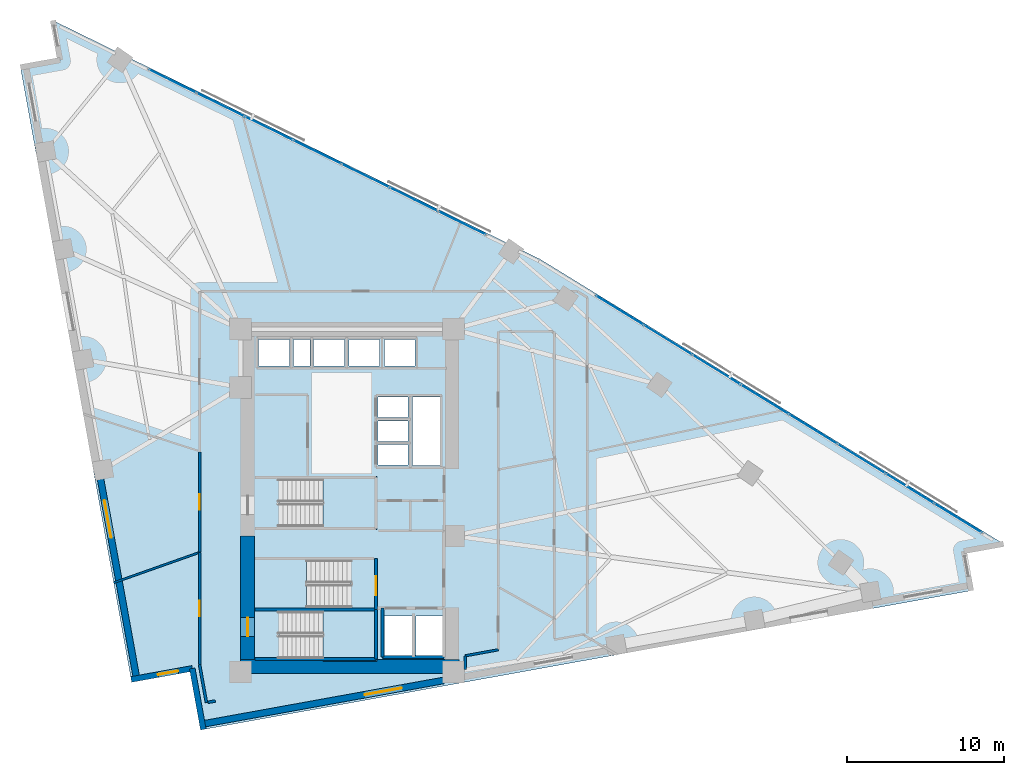
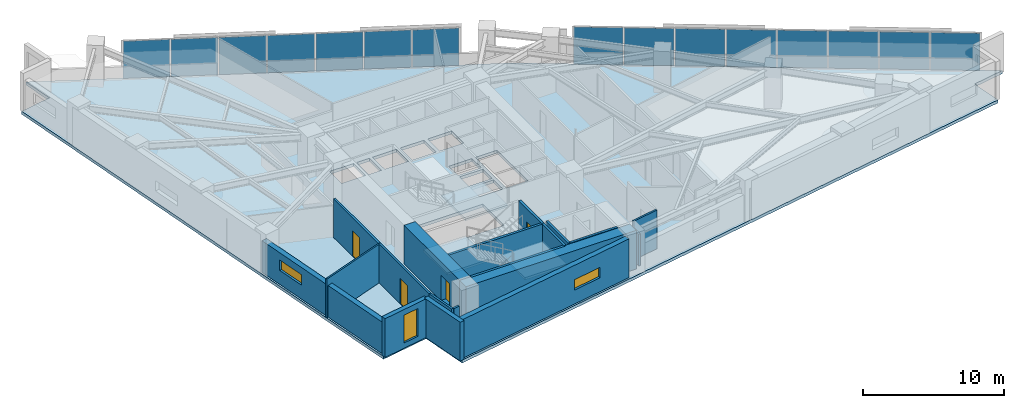
# One storey, part 12 of 18: 19 walls, 15 plates, 4 doors, 4 slabs, 3 windows, 7 openings, 5 elements without a shape of their own.
"""IFC4 building model written with IfcOpenShell, lengths in metres."""

from ifc_helpers import new_model, si_unit, direction, frame, frame_2d, origin, origin_2d, place, context, subcontext, project, spatial, polyline, rectangle, outline, extrude, material, layer, layer_set, type_object, element, fill, aggregate, save


model = new_model("IFC4")

# Units and contexts
model_context = context("Model", 3, precision=1e-05, world=origin(), true_north=direction((0.0, 1.0)))
body_context = subcontext(model_context, "Body", "Model", "MODEL_VIEW")
ifc_project = project(units=[si_unit("LENGTHUNIT", "METRE"), si_unit("AREAUNIT", "SQUARE_METRE"), si_unit("VOLUMEUNIT", "CUBIC_METRE"), si_unit("PLANEANGLEUNIT", "RADIAN"), si_unit("MASSUNIT", "GRAM", prefix="KILO")], contexts=[model_context])

# Site, building, storey
site_placement = place(None, origin())
site = spatial("IfcSite", under=ifc_project, at=site_placement, CompositionType="ELEMENT")
building_placement = place(site_placement, origin())
building = spatial("IfcBuilding", under=site, at=building_placement, Name="Narakoshi Arena Tower", CompositionType="ELEMENT")
storey_placement = place(building_placement, frame((0.0, 0.0, 110.10009765625)))
storey = spatial("IfcBuildingStorey", under=building, at=storey_placement, Name="L29", CompositionType="ELEMENT", Elevation=110.10009765625)

# Curtain wall, plates
ifc_material_1 = material(Name="Anodised bronze aluminium 6063-T6", Category="aluminium")
curtain_wall_type = type_object("IfcCurtainWallType", Name="CW-HYP-LOW", PredefinedType="NOTDEFINED", material=ifc_material_1)
curtain_wall_1_placement = place(storey_placement, origin())
curtain_wall_1 = element("IfcCurtainWall", 1, at=curtain_wall_1_placement, inside=storey, type_object=curtain_wall_type, Name="L29 Folded Hypotenuse Curtain Wall 1-1", PredefinedType="NOTDEFINED")
ifc_material_2 = material(Name="Bronze-tinted low-E laminated glass", Category="glass")
ifc_layer_1 = layer(ifc_material_2, 0.031982421875)
ifc_layer_set_1 = layer_set([ifc_layer_1], Name="Bronze-tinted low-E laminated glass")
plate_type = type_object("IfcPlateType", Name="PLT-GLZ-32", PredefinedType="CURTAIN_PANEL", material=ifc_layer_set_1)
plate_1_placement = place(storey_placement, frame((117.64013671875, 44.483642578125, 0.06494140625), z_axis=(0.0, 0.0, 1.0), x_axis=(-0.852113104237, 0.523357676535, 0.0)))
plate_1 = element("IfcPlate", 2, at=plate_1_placement, type_object=plate_type, Name="CW-01 panel 1.1", PredefinedType="CURTAIN_PANEL", context=body_context, shape_type="SweptSolid", body=[
    extrude(rectangle(XDim=3.498291015625, YDim=0.031982421875, at=origin_2d()), origin(), (0.0, 0.0, 1.0), 3.2099609375),
])
plate_2_placement = place(storey_placement, frame((114.5791015625, 46.36376953125, 0.06494140625), z_axis=(0.0, 0.0, 1.0), x_axis=(-0.852113104237, 0.523357676535, 0.0)))
plate_2 = element("IfcPlate", 3, at=plate_2_placement, type_object=plate_type, Name="CW-01 panel 2.1", PredefinedType="CURTAIN_PANEL", context=body_context, shape_type="SweptSolid", body=[
    extrude(rectangle(XDim=3.535888671875, YDim=0.031982421875, at=origin_2d()), origin(), (0.0, 0.0, 1.0), 3.2099609375),
])
plate_3_placement = place(storey_placement, frame((111.502197265625, 48.25341796875, 0.06494140625), z_axis=(0.0, 0.0, 1.0), x_axis=(-0.852113104237, 0.523357676535, 0.0)))
plate_3 = element("IfcPlate", 4, at=plate_3_placement, type_object=plate_type, Name="CW-01 panel 3.1", PredefinedType="CURTAIN_PANEL", context=body_context, shape_type="SweptSolid", body=[
    extrude(rectangle(XDim=3.535888671875, YDim=0.031982421875, at=origin_2d()), origin(), (0.0, 0.0, 1.0), 3.2099609375),
])
plate_4_placement = place(storey_placement, frame((108.42529296875, 50.143310546875, 0.06494140625), z_axis=(0.0, 0.0, 1.0), x_axis=(-0.852113104237, 0.523357676535, 0.0)))
plate_4 = element("IfcPlate", 5, at=plate_4_placement, type_object=plate_type, Name="CW-01 panel 4.1", PredefinedType="CURTAIN_PANEL", context=body_context, shape_type="SweptSolid", body=[
    extrude(rectangle(XDim=3.535888671875, YDim=0.031982421875, at=origin_2d()), origin(), (0.0, 0.0, 1.0), 3.2099609375),
])
plate_5_placement = place(storey_placement, frame((105.348388671875, 52.032958984375, 0.06494140625), z_axis=(0.0, 0.0, 1.0), x_axis=(-0.852113104237, 0.523357676535, 0.0)))
plate_5 = element("IfcPlate", 6, at=plate_5_placement, type_object=plate_type, Name="CW-01 panel 5.1", PredefinedType="CURTAIN_PANEL", context=body_context, shape_type="SweptSolid", body=[
    extrude(rectangle(XDim=3.535888671875, YDim=0.031982421875, at=origin_2d()), origin(), (0.0, 0.0, 1.0), 3.2099609375),
])
plate_6_placement = place(storey_placement, frame((102.271728515625, 53.9228515625, 0.06494140625), z_axis=(0.0, 0.0, 1.0), x_axis=(-0.852113104237, 0.523357676535, 0.0)))
plate_6 = element("IfcPlate", 7, at=plate_6_placement, type_object=plate_type, Name="CW-01 panel 6.1", PredefinedType="CURTAIN_PANEL", context=body_context, shape_type="SweptSolid", body=[
    extrude(rectangle(XDim=3.535888671875, YDim=0.031982421875, at=origin_2d()), origin(), (0.0, 0.0, 1.0), 3.2099609375),
])
plate_7_placement = place(storey_placement, frame((99.19482421875, 55.8125, 0.06494140625), z_axis=(0.0, 0.0, 1.0), x_axis=(-0.852113104237, 0.523357676535, 0.0)))
plate_7 = element("IfcPlate", 8, at=plate_7_placement, type_object=plate_type, Name="CW-01 panel 7.1", PredefinedType="CURTAIN_PANEL", context=body_context, shape_type="SweptSolid", body=[
    extrude(rectangle(XDim=3.535888671875, YDim=0.031982421875, at=origin_2d()), origin(), (0.0, 0.0, 1.0), 3.2099609375),
])
plate_8_placement = place(storey_placement, frame((96.1337890625, 57.692626953125, 0.06494140625), z_axis=(0.0, 0.0, 1.0), x_axis=(-0.852113104237, 0.523357676535, 0.0)))
plate_8 = element("IfcPlate", 9, at=plate_8_placement, type_object=plate_type, Name="CW-01 panel 8.1", PredefinedType="CURTAIN_PANEL", context=body_context, shape_type="SweptSolid", body=[
    extrude(rectangle(XDim=3.498291015625, YDim=0.031982421875, at=origin_2d()), origin(), (0.0, 0.0, 1.0), 3.2099609375),
])
aggregate(curtain_wall_1, [plate_1, plate_2, plate_3, plate_4, plate_5, plate_6, plate_7, plate_8])

curtain_wall_2_placement = place(storey_placement, origin())
curtain_wall_2 = element("IfcCurtainWall", 10, at=curtain_wall_2_placement, inside=storey, type_object=curtain_wall_type, Name="L29 Folded Hypotenuse Curtain Wall 2-1", PredefinedType="NOTDEFINED")
plate_9_placement = place(storey_placement, frame((86.0791015625, 63.259765625, 0.06494140625), z_axis=(0.0, 0.0, 1.0), x_axis=(-0.89799556291, 0.440004510198, 0.0)))
plate_9 = element("IfcPlate", 11, at=plate_9_placement, type_object=plate_type, Name="CW-01 panel 1.1", PredefinedType="CURTAIN_PANEL", context=body_context, shape_type="SweptSolid", body=[
    extrude(rectangle(XDim=3.309814453125, YDim=0.031982421875, at=origin_2d()), origin(), (0.0, 0.0, 1.0), 3.2099609375),
])
plate_10_placement = place(storey_placement, frame((83.022705078125, 64.75732421875, 0.06494140625), z_axis=(0.0, 0.0, 1.0), x_axis=(-0.89799556291, 0.440004510198, 0.0)))
plate_10 = element("IfcPlate", 12, at=plate_10_placement, type_object=plate_type, Name="CW-01 panel 2.1", PredefinedType="CURTAIN_PANEL", context=body_context, shape_type="SweptSolid", body=[
    extrude(rectangle(XDim=3.347412109375, YDim=0.031982421875, at=origin_2d()), origin(), (0.0, 0.0, 1.0), 3.2099609375),
])
plate_11_placement = place(storey_placement, frame((79.949462890625, 66.26318359375, 0.06494140625), z_axis=(0.0, 0.0, 1.0), x_axis=(-0.89799556291, 0.440004510198, 0.0)))
plate_11 = element("IfcPlate", 13, at=plate_11_placement, type_object=plate_type, Name="CW-01 panel 3.1", PredefinedType="CURTAIN_PANEL", context=body_context, shape_type="SweptSolid", body=[
    extrude(rectangle(XDim=3.347412109375, YDim=0.031982421875, at=origin_2d()), origin(), (0.0, 0.0, 1.0), 3.2099609375),
])
plate_12_placement = place(storey_placement, frame((76.8759765625, 67.76904296875, 0.06494140625), z_axis=(0.0, 0.0, 1.0), x_axis=(-0.89799556291, 0.440004510198, 0.0)))
plate_12 = element("IfcPlate", 14, at=plate_12_placement, type_object=plate_type, Name="CW-01 panel 4.1", PredefinedType="CURTAIN_PANEL", context=body_context, shape_type="SweptSolid", body=[
    extrude(rectangle(XDim=3.347412109375, YDim=0.031982421875, at=origin_2d()), origin(), (0.0, 0.0, 1.0), 3.2099609375),
])
plate_13_placement = place(storey_placement, frame((73.802734375, 69.27490234375, 0.06494140625), z_axis=(0.0, 0.0, 1.0), x_axis=(-0.89799556291, 0.440004510198, 0.0)))
plate_13 = element("IfcPlate", 15, at=plate_13_placement, type_object=plate_type, Name="CW-01 panel 5.1", PredefinedType="CURTAIN_PANEL", context=body_context, shape_type="SweptSolid", body=[
    extrude(rectangle(XDim=3.347412109375, YDim=0.031982421875, at=origin_2d()), origin(), (0.0, 0.0, 1.0), 3.2099609375),
])
plate_14_placement = place(storey_placement, frame((70.7294921875, 70.781005859375, 0.06494140625), z_axis=(0.0, 0.0, 1.0), x_axis=(-0.89799556291, 0.440004510198, 0.0)))
plate_14 = element("IfcPlate", 16, at=plate_14_placement, type_object=plate_type, Name="CW-01 panel 6.1", PredefinedType="CURTAIN_PANEL", context=body_context, shape_type="SweptSolid", body=[
    extrude(rectangle(XDim=3.347412109375, YDim=0.031982421875, at=origin_2d()), origin(), (0.0, 0.0, 1.0), 3.2099609375),
])
plate_15_placement = place(storey_placement, frame((67.673095703125, 72.278564453125, 0.06494140625), z_axis=(0.0, 0.0, 1.0), x_axis=(-0.89799556291, 0.440004510198, 0.0)))
plate_15 = element("IfcPlate", 17, at=plate_15_placement, type_object=plate_type, Name="CW-01 panel 7.1", PredefinedType="CURTAIN_PANEL", context=body_context, shape_type="SweptSolid", body=[
    extrude(rectangle(XDim=3.309814453125, YDim=0.031982421875, at=origin_2d()), origin(), (0.0, 0.0, 1.0), 3.2099609375),
])
aggregate(curtain_wall_2, [plate_9, plate_10, plate_11, plate_12, plate_13, plate_14, plate_15])

# Stair, slab
ifc_material_3 = material(Name="Concrete C45/55", Category="concrete")
stair_type = type_object("IfcStairType", Name="STR-CORE-360", PredefinedType="TWO_STRAIGHT_RUN_STAIR", material=ifc_material_3)
stair_1_placement = place(storey_placement, origin())
stair_1 = element("IfcStair", 18, at=stair_1_placement, inside=storey, type_object=stair_type, Name="L29 Core Escape Stair ST1", PredefinedType="TWO_STRAIGHT_RUN_STAIR")
ifc_layer_2 = layer(ifc_material_3, 0.18994140625)
ifc_layer_set_2 = layer_set([ifc_layer_2], Name="Concrete C45/55")
slab_type_1 = type_object("IfcSlabType", Name="SLB-LND-190", PredefinedType="LANDING", material=ifc_layer_set_2)
slab_1_placement = place(storey_placement, frame((0.0, 0.0, 1.60986328125)))
slab_1 = element("IfcSlab", 19, at=slab_1_placement, type_object=slab_type_1, Name="ST1 landing 1", PredefinedType="LANDING", context=body_context, shape_type="SweptSolid", body=[
    extrude(outline(polyline([(77.25, 35.3701171875), (80.679931640625, 35.3701171875), (80.679931640625, 38.72998046875), (77.25, 38.72998046875), (77.25, 35.3701171875)])), origin(), (0.0, 0.0, 1.0), 0.18994140625),
])
aggregate(stair_1, [slab_1])

stair_2_placement = place(storey_placement, origin())
stair_2 = element("IfcStair", 20, at=stair_2_placement, inside=storey, type_object=stair_type, Name="L29 Core Escape Stair ST2", PredefinedType="TWO_STRAIGHT_RUN_STAIR")
slab_2_placement = place(storey_placement, frame((0.0, 0.0, 1.60986328125)))
slab_2 = element("IfcSlab", 21, at=slab_2_placement, type_object=slab_type_1, Name="ST2 landing 1", PredefinedType="LANDING", context=body_context, shape_type="SweptSolid", body=[
    extrude(outline(polyline([(72.77001953125, 38.6201171875), (76.199951171875, 38.6201171875), (76.199951171875, 41.97998046875), (72.77001953125, 41.97998046875), (72.77001953125, 38.6201171875)])), origin(), (0.0, 0.0, 1.0), 0.18994140625),
])
aggregate(stair_2, [slab_2])

stair_3_placement = place(storey_placement, origin())
stair_3 = element("IfcStair", 22, at=stair_3_placement, inside=storey, type_object=stair_type, Name="L29 Core Escape Stair ST3", PredefinedType="TWO_STRAIGHT_RUN_STAIR")
slab_3_placement = place(storey_placement, frame((0.0, 0.0, 1.60986328125)))
slab_3 = element("IfcSlab", 23, at=slab_3_placement, type_object=slab_type_1, Name="ST3 landing 1", PredefinedType="LANDING", context=body_context, shape_type="SweptSolid", body=[
    extrude(outline(polyline([(77.25, 43.77001953125), (80.679931640625, 43.77001953125), (80.679931640625, 47.1298828125), (77.25, 47.1298828125), (77.25, 43.77001953125)])), origin(), (0.0, 0.0, 1.0), 0.18994140625),
])
aggregate(stair_3, [slab_3])

# Slab
ifc_material_4 = material(Name="Concrete C50/60", Category="concrete")
ifc_layer_3 = layer(ifc_material_4, 0.260009765625)
ifc_layer_set_3 = layer_set([ifc_layer_3], Name="Concrete C50/60")
slab_type_2 = type_object("IfcSlabType", Name="SLB-SKY-260", PredefinedType="FLOOR", material=ifc_layer_set_3)
slab_4_placement = place(storey_placement, frame((0.0, 0.0, -0.260009765625)))
element("IfcSlab", 24, at=slab_4_placement, inside=storey, type_object=slab_type_2, Name="L29 Structural Floor Slab", PredefinedType="FLOOR", context=body_context, shape_type="SweptSolid", body=[
    extrude(outline(polyline([(69.626953125, 31.03271484375), (118.466796875, 39.8642578125), (118.01025390625, 42.3896484375), (120.535400390625, 42.84619140625), (91.034912109375, 60.965087890625), (60.066162109375, 76.139404296875), (60.522705078125, 73.614013671875), (57.99755859375, 73.157470703125), (65.039306640625, 34.215087890625), (68.92431640625, 34.91748046875), (69.626953125, 31.03271484375)]), holes=[polyline([(80.5, 35.550048828125), (74.47998046875, 35.550048828125), (74.47998046875, 38.550048828125), (80.5, 38.550048828125), (80.5, 35.550048828125)]), polyline([(82.89990234375, 35.75), (81.14990234375, 35.75), (81.14990234375, 38.25), (82.89990234375, 38.25), (82.89990234375, 35.75)]), polyline([(83.14990234375, 35.75), (83.14990234375, 38.25), (84.89990234375, 38.25), (84.89990234375, 35.75), (83.14990234375, 35.75)]), polyline([(72.949951171875, 38.800048828125), (72.949951171875, 41.800048828125), (78.969970703125, 41.800048828125), (78.969970703125, 38.800048828125), (72.949951171875, 38.800048828125)]), polyline([(74.47998046875, 43.949951171875), (74.47998046875, 46.949951171875), (80.5, 46.949951171875), (80.5, 43.949951171875), (74.47998046875, 43.949951171875)]), polyline([(82.949951171875, 47.840087890625), (82.949951171875, 52.199951171875), (84.699951171875, 52.199951171875), (84.699951171875, 47.840087890625), (82.949951171875, 47.840087890625)]), polyline([(80.75, 47.85009765625), (80.75, 49.14990234375), (82.64990234375, 49.14990234375), (82.64990234375, 47.85009765625), (80.75, 47.85009765625)]), polyline([(80.75, 49.3701171875), (80.75, 50.669921875), (82.64990234375, 50.669921875), (82.64990234375, 49.3701171875), (80.75, 49.3701171875)]), polyline([(80.75, 50.889892578125), (80.75, 52.18994140625), (82.64990234375, 52.18994140625), (82.64990234375, 50.889892578125), (80.75, 50.889892578125)]), polyline([(73.14990234375, 54.14990234375), (73.14990234375, 55.85009765625), (75.10009765625, 55.85009765625), (75.10009765625, 54.14990234375), (73.14990234375, 54.14990234375)]), polyline([(75.35009765625, 54.14990234375), (75.35009765625, 55.85009765625), (76.39990234375, 55.85009765625), (76.39990234375, 54.14990234375), (75.35009765625, 54.14990234375)]), polyline([(76.64990234375, 54.14990234375), (76.64990234375, 55.85009765625), (78.60009765625, 55.85009765625), (78.60009765625, 54.14990234375), (76.64990234375, 54.14990234375)]), polyline([(78.89990234375, 54.14990234375), (78.89990234375, 55.85009765625), (80.85009765625, 55.85009765625), (80.85009765625, 54.14990234375), (78.89990234375, 54.14990234375)]), polyline([(81.14990234375, 54.14990234375), (81.14990234375, 55.85009765625), (83.10009765625, 55.85009765625), (83.10009765625, 54.14990234375), (81.14990234375, 54.14990234375)])]), origin(), (0.0, 0.0, 1.0), 0.260009765625),
])

# Wall, opening, door
ifc_material_5 = material(Name="Concrete C60/75", Category="concrete")
ifc_layer_4 = layer(ifc_material_5, 0.89990234375)
ifc_layer_set_4 = layer_set([ifc_layer_4], Name="Concrete C60/75")
wall_type_1 = type_object("IfcWallType", Name="WL-CORE-900", PredefinedType="SHEAR", material=ifc_layer_set_4)
wall_1_placement = place(storey_placement, frame((72.449951171875, 35.5, -0.260009765625), z_axis=(0.0, 0.0, 1.0), x_axis=(0.0, 1.0, 0.0)))
wall_1 = element("IfcWall", 25, at=wall_1_placement, inside=storey, type_object=wall_type_1, Name="L29 Central Core Shear Wall CW-APX-W", PredefinedType="SHEAR", context=body_context, shape_type="SweptSolid", body=[
    extrude(rectangle(XDim=7.85009765625, YDim=0.89990234375, at=frame_2d((3.925048828125, 0.0))), origin(), (0.0, 0.0, 1.0), 3.599853515625),
])
opening_1_placement = place(wall_1_placement, frame((1.449951171875, 0.0, 0.260009765625)))
opening_1 = element("IfcOpeningElement", 26, at=opening_1_placement, cuts=wall_1, Name="Opening D-03", PredefinedType="OPENING", context=body_context, shape_type="SweptSolid", body=[
    extrude(rectangle(XDim=1.199951171875, YDim=2.199951171875, at=frame_2d((0.60009765625, 1.10009765625))), frame((0.0, 0.4599609375, 0.0), z_axis=(0.0, -1.0, 0.0), x_axis=(1.0, 0.0, 0.0)), (0.0, 0.0, 1.0), 0.919921875),
])
ifc_material_6 = material(Name="Painted galvanized steel", Category="steel")
door_type_1 = type_object("IfcDoorType", Name="DR-STR-1200", OperationType="NOTDEFINED", PredefinedType="USERDEFINED", material=ifc_material_6)
door_1_placement = place(opening_1_placement, frame((1.199951171875, 0.0, 0.0), z_axis=(0.0, 0.0, 1.0), x_axis=(-1.0, 0.0, 0.0)))
door_1 = element("IfcDoor", 27, at=door_1_placement, inside=storey, type_object=door_type_1, Name="DR-L29-001", ObjectType="EXITDOOR", OperationType="SINGLE_SWING_LEFT", OverallHeight=2.199951171875, OverallWidth=1.199951171875, PredefinedType="USERDEFINED", context=body_context, shape_type="SweptSolid", body=[
    extrude(rectangle(XDim=1.199951171875, YDim=2.199951171875, at=frame_2d((0.60009765625, 1.10009765625))), frame((0.0, 0.02490234375, 0.0), z_axis=(0.0, -1.0, 0.0), x_axis=(1.0, 0.0, 0.0)), (0.0, 0.0, 1.0), 0.050048828125),
])
fill(opening_1, door_1)

# Wall
wall_2_placement = place(storey_placement, frame((72.0, 35.050048828125, -0.260009765625), z_axis=(0.0, 0.0, 1.0), x_axis=(1.0, 0.0, 0.0)))
element("IfcWall", 28, at=wall_2_placement, inside=storey, type_object=wall_type_1, Name="L29 Central Core Shear Wall CW-APX-S", PredefinedType="SHEAR", context=body_context, shape_type="SweptSolid", body=[
    extrude(rectangle(XDim=13.89990234375, YDim=0.89990234375, at=frame_2d((6.949951171875, 0.0))), origin(), (0.0, 0.0, 1.0), 3.599853515625),
])

# Wall, opening, door
ifc_material_7 = material(Name="Gypsum plasterboard fire-rated partition")
ifc_layer_5 = layer(ifc_material_7, 0.1650390625)
ifc_layer_set_5 = layer_set([ifc_layer_5], Name="Gypsum plasterboard fire-rated partition")
wall_type_2 = type_object("IfcWallType", Name="WL-CORR-165", PredefinedType="PARTITIONING", material=ifc_layer_set_5)
wall_3_placement = place(storey_placement, frame((69.388916015625, 42.30078125, 0.0), z_axis=(0.0, 0.0, 1.0), x_axis=(0.0, -1.0, 0.0)))
wall_3 = element("IfcWall", 29, at=wall_3_placement, inside=storey, type_object=wall_type_2, Name="L29 Corridor Partition 01-1", PredefinedType="PARTITIONING", context=body_context, shape_type="SweptSolid", body=[
    extrude(rectangle(XDim=7.14111328125, YDim=0.1650390625, at=frame_2d((3.570556640625, 0.0))), origin(), (0.0, 0.0, 1.0), 3.33984375),
])
opening_2_placement = place(wall_3_placement, frame((3.070556640625, 0.0, 0.0)))
opening_2 = element("IfcOpeningElement", 30, at=opening_2_placement, cuts=wall_3, Name="Opening D-06", PredefinedType="OPENING", context=body_context, shape_type="SweptSolid", body=[
    extrude(rectangle(XDim=1.0, YDim=2.199951171875, at=frame_2d((0.5, 1.10009765625))), frame((0.0, 0.092529296875, 0.0), z_axis=(0.0, -1.0, 0.0), x_axis=(1.0, 0.0, 0.0)), (0.0, 0.0, 1.0), 0.18505859375),
])
ifc_material_8 = material(Name="Stained oak solid-core timber", Category="wood")
door_type_2 = type_object("IfcDoorType", Name="DR-OFF-1000", OperationType="NOTDEFINED", PredefinedType="DOOR", material=ifc_material_8)
door_2_placement = place(opening_2_placement, frame((1.0, 0.0, 0.0), z_axis=(0.0, 0.0, 1.0), x_axis=(-1.0, 0.0, 0.0)))
door_2 = element("IfcDoor", 31, at=door_2_placement, inside=storey, type_object=door_type_2, Name="DR-L29-014", OperationType="SINGLE_SWING_LEFT", OverallHeight=2.199951171875, OverallWidth=1.0, PredefinedType="DOOR", context=body_context, shape_type="SweptSolid", body=[
    extrude(rectangle(XDim=1.0, YDim=2.199951171875, at=frame_2d((0.5, 1.10009765625))), frame((0.0, 0.02490234375, 0.0), z_axis=(0.0, -1.0, 0.0), x_axis=(1.0, 0.0, 0.0)), (0.0, 0.0, 1.0), 0.050048828125),
])
fill(opening_2, door_2)

# Walls
wall_4_placement = place(storey_placement, frame((69.388916015625, 35.15966796875, 0.0), z_axis=(0.0, 0.0, 1.0), x_axis=(0.177808331927, -0.984065138645, 0.0)))
element("IfcWall", 32, at=wall_4_placement, inside=storey, type_object=wall_type_2, Name="L29 Corridor Partition 01-2", PredefinedType="PARTITIONING", context=body_context, shape_type="SweptSolid", body=[
    extrude(rectangle(XDim=2.45361328125, YDim=0.1650390625, at=frame_2d((1.226806640625, 0.0))), origin(), (0.0, 0.0, 1.0), 3.33984375),
])
wall_5_placement = place(storey_placement, frame((69.918212890625, 32.761962890625, 0.0), z_axis=(0.0, 0.0, 1.0), x_axis=(0.984015288824, 0.178084000857, 0.0)))
element("IfcWall", 33, at=wall_5_placement, inside=storey, type_object=wall_type_2, Name="L29 Corridor Partition 01-3", PredefinedType="PARTITIONING", context=body_context, shape_type="SweptSolid", body=[
    extrude(rectangle(XDim=0.482666015625, YDim=0.1650390625, at=frame_2d((0.2412109375, 0.0))), origin(), (0.0, 0.0, 1.0), 3.33984375),
])

# Wall, opening, door
wall_6_placement = place(storey_placement, frame((69.388916015625, 48.672607421875, 0.0), z_axis=(0.0, 0.0, 1.0), x_axis=(0.0, -1.0, 0.0)))
wall_6 = element("IfcWall", 34, at=wall_6_placement, inside=storey, type_object=wall_type_2, Name="L29 Corridor Partition 09-1", PredefinedType="PARTITIONING", context=body_context, shape_type="SweptSolid", body=[
    extrude(rectangle(XDim=6.346435546875, YDim=0.1650390625, at=frame_2d((3.17333984375, 0.0))), origin(), (0.0, 0.0, 1.0), 3.33984375),
])
opening_3_placement = place(wall_6_placement, frame((2.673095703125, 0.0, 0.0)))
opening_3 = element("IfcOpeningElement", 35, at=opening_3_placement, cuts=wall_6, Name="Opening D-06", PredefinedType="OPENING", context=body_context, shape_type="SweptSolid", body=[
    extrude(rectangle(XDim=1.0, YDim=2.199951171875, at=frame_2d((0.5, 1.10009765625))), frame((0.0, 0.092529296875, 0.0), z_axis=(0.0, -1.0, 0.0), x_axis=(1.0, 0.0, 0.0)), (0.0, 0.0, 1.0), 0.18505859375),
])
door_3_placement = place(opening_3_placement, frame((1.0, 0.0, 0.0), z_axis=(0.0, 0.0, 1.0), x_axis=(-1.0, 0.0, 0.0)))
door_3 = element("IfcDoor", 36, at=door_3_placement, inside=storey, type_object=door_type_2, Name="DR-L29-022", OperationType="SINGLE_SWING_LEFT", OverallHeight=2.199951171875, OverallWidth=1.0, PredefinedType="DOOR", context=body_context, shape_type="SweptSolid", body=[
    extrude(rectangle(XDim=1.0, YDim=2.199951171875, at=frame_2d((0.5, 1.10009765625))), frame((0.0, 0.02490234375, 0.0), z_axis=(0.0, -1.0, 0.0), x_axis=(1.0, 0.0, 0.0)), (0.0, 0.0, 1.0), 0.050048828125),
])
fill(opening_3, door_3)

# Wall
ifc_layer_6 = layer(ifc_material_7, 0.125)
ifc_layer_set_6 = layer_set([ifc_layer_6], Name="Gypsum plasterboard fire-rated partition")
wall_type_3 = type_object("IfcWallType", Name="WL-PART-125", PredefinedType="PARTITIONING", material=ifc_layer_set_6)
wall_7_placement = place(storey_placement, frame((63.926513671875, 40.369384765625, 0.0), z_axis=(0.0, 0.0, 1.0), x_axis=(0.942798594797, 0.33336287983, 0.0)))
element("IfcWall", 37, at=wall_7_placement, inside=storey, type_object=wall_type_3, Name="L29 Inter-Room Partition 01-09", PredefinedType="PARTITIONING", context=body_context, shape_type="SweptSolid", body=[
    extrude(rectangle(XDim=5.693359375, YDim=0.125, at=frame_2d((2.8466796875, 0.0))), origin(), (0.0, 0.0, 1.0), 3.33984375),
])

# Wall, opening, window
ifc_material_9 = material(Name="Precast concrete C45/55", Category="concrete")
ifc_layer_7 = layer(ifc_material_9, 0.419921875)
ifc_layer_set_7 = layer_set([ifc_layer_7], Name="Precast concrete C45/55")
wall_type_4 = type_object("IfcWallType", Name="WL-POD-420", PredefinedType="SOLIDWALL", material=ifc_layer_set_7)
wall_8_placement = place(storey_placement, frame((69.564697265625, 31.376953125, 0.0), z_axis=(0.0, 0.0, 1.0), x_axis=(0.98404091451, 0.177942346197, 0.0)))
wall_8 = element("IfcWall", 38, at=wall_8_placement, inside=storey, type_object=wall_type_4, Name="L29 Architectural Concrete Facade Wall LEGA-1", PredefinedType="SOLIDWALL", context=body_context, shape_type="SweptSolid", body=[
    extrude(rectangle(XDim=15.58349609375, YDim=0.419921875, at=frame_2d((7.791748046875, 0.0))), origin(), (0.0, 0.0, 1.0), 3.33984375),
])
opening_4_placement = place(wall_8_placement, frame((10.5, 0.0, 1.199951171875)))
opening_4 = element("IfcOpeningElement", 39, at=opening_4_placement, cuts=wall_8, Name="Opening WN-01", PredefinedType="OPENING", context=body_context, shape_type="SweptSolid", body=[
    extrude(rectangle(XDim=2.39990234375, YDim=0.89990234375, at=frame_2d((1.199951171875, 0.449951171875))), frame((0.0, 0.219970703125, 0.0), z_axis=(0.0, -1.0, 0.0), x_axis=(1.0, 0.0, 0.0)), (0.0, 0.0, 1.0), 0.43994140625),
])
window_type_1 = type_object("IfcWindowType", Name="WIN-SLT-24x09", PartitioningType="SINGLE_PANEL", PredefinedType="WINDOW", material=ifc_material_2)
window_1_placement = place(opening_4_placement, origin())
window_1 = element("IfcWindow", 40, at=window_1_placement, inside=storey, type_object=window_type_1, Name="L29 LEGA1 Horizontal Slot Window 1", OverallHeight=0.89990234375, OverallWidth=2.39990234375, PartitioningType="SINGLE_PANEL", PredefinedType="WINDOW", context=body_context, shape_type="SweptSolid", body=[
    extrude(rectangle(XDim=2.39990234375, YDim=0.89990234375, at=frame_2d((1.199951171875, 0.449951171875))), frame((0.0, 0.030029296875, 0.0), z_axis=(0.0, -1.0, 0.0), x_axis=(1.0, 0.0, 0.0)), (0.0, 0.0, 1.0), 0.06005859375),
])
fill(opening_4, window_1)

wall_9_placement = place(storey_placement, frame((62.989501953125, 47.517578125, 0.0), z_axis=(0.0, 0.0, 1.0), x_axis=(0.177948058674, -0.984039881516, 0.0)))
wall_9 = element("IfcWall", 41, at=wall_9_placement, inside=storey, type_object=wall_type_4, Name="L29 Architectural Concrete Facade Wall LEGB-3", PredefinedType="SOLIDWALL", context=body_context, shape_type="SweptSolid", body=[
    extrude(rectangle(XDim=13.455078125, YDim=0.419921875, at=frame_2d((6.7275390625, 0.0))), origin(), (0.0, 0.0, 1.0), 2.724853515625),
])
opening_5_placement = place(wall_9_placement, frame((1.945068359375, 0.0, 1.199951171875)))
opening_5 = element("IfcOpeningElement", 42, at=opening_5_placement, cuts=wall_9, Name="Opening WN-01", PredefinedType="OPENING", context=body_context, shape_type="SweptSolid", body=[
    extrude(rectangle(XDim=2.39990234375, YDim=0.89990234375, at=frame_2d((1.199951171875, 0.449951171875))), frame((0.0, 0.219970703125, 0.0), z_axis=(0.0, -1.0, 0.0), x_axis=(1.0, 0.0, 0.0)), (0.0, 0.0, 1.0), 0.43994140625),
])
window_2_placement = place(opening_5_placement, origin())
window_2 = element("IfcWindow", 43, at=window_2_placement, inside=storey, type_object=window_type_1, Name="L29 LEGB3 Horizontal Slot Window 1", OverallHeight=0.89990234375, OverallWidth=2.39990234375, PartitioningType="SINGLE_PANEL", PredefinedType="WINDOW", context=body_context, shape_type="SweptSolid", body=[
    extrude(rectangle(XDim=2.39990234375, YDim=0.89990234375, at=frame_2d((1.199951171875, 0.449951171875))), frame((0.0, 0.030029296875, 0.0), z_axis=(0.0, -1.0, 0.0), x_axis=(1.0, 0.0, 0.0)), (0.0, 0.0, 1.0), 0.06005859375),
])
fill(opening_5, window_2)

wall_10_placement = place(storey_placement, frame((65.039306640625, 34.215087890625, 0.0), z_axis=(0.0, 0.0, 1.0), x_axis=(0.984046535247, 0.177911260096, 0.0)))
wall_10 = element("IfcWall", 44, at=wall_10_placement, inside=storey, type_object=wall_type_4, Name="L29 Re-Entrant Corner Notch Wall NTA-1", PredefinedType="SOLIDWALL", context=body_context, shape_type="SweptSolid", body=[
    extrude(rectangle(XDim=3.947998046875, YDim=0.360107421875, at=frame_2d((1.97412109375, 0.0))), origin(), (0.0, 0.0, 1.0), 3.33984375),
])
opening_6_placement = place(wall_10_placement, frame((1.73388671875, 0.0, 0.449951171875)))
opening_6 = element("IfcOpeningElement", 45, at=opening_6_placement, cuts=wall_10, Name="Opening WN-06", PredefinedType="OPENING", context=body_context, shape_type="SweptSolid", body=[
    extrude(rectangle(XDim=1.300048828125, YDim=2.39990234375, at=frame_2d((0.64990234375, 1.199951171875))), frame((0.0, 0.18994140625, 0.0), z_axis=(0.0, -1.0, 0.0), x_axis=(1.0, 0.0, 0.0)), (0.0, 0.0, 1.0), 0.380126953125),
])
window_type_2 = type_object("IfcWindowType", Name="WIN-NTC-16x24", PartitioningType="SINGLE_PANEL", PredefinedType="WINDOW", material=ifc_material_2)
window_3_placement = place(opening_6_placement, origin())
window_3 = element("IfcWindow", 46, at=window_3_placement, inside=storey, type_object=window_type_2, Name="L29 Corner Notch Window NTA", OverallHeight=2.39990234375, OverallWidth=1.300048828125, PartitioningType="SINGLE_PANEL", PredefinedType="WINDOW", context=body_context, shape_type="SweptSolid", body=[
    extrude(rectangle(XDim=1.300048828125, YDim=2.39990234375, at=frame_2d((0.64990234375, 1.199951171875))), frame((0.0, 0.030029296875, 0.0), z_axis=(0.0, -1.0, 0.0), x_axis=(1.0, 0.0, 0.0)), (0.0, 0.0, 1.0), 0.06005859375),
])
fill(opening_6, window_3)

# Walls
wall_11_placement = place(storey_placement, frame((68.92431640625, 34.91748046875, 0.0), z_axis=(0.0, 0.0, 1.0), x_axis=(0.177981971326, -0.984033748346, 0.0)))
element("IfcWall", 47, at=wall_11_placement, inside=storey, type_object=wall_type_4, Name="L29 Re-Entrant Corner Notch Wall NTA-2", PredefinedType="SOLIDWALL", context=body_context, shape_type="SweptSolid", body=[
    extrude(rectangle(XDim=3.94775390625, YDim=0.360107421875, at=frame_2d((1.973876953125, 0.0))), origin(), (0.0, 0.0, 1.0), 3.33984375),
])
ifc_layer_8 = layer(ifc_material_4, 0.35009765625)
ifc_layer_set_8 = layer_set([ifc_layer_8], Name="Concrete C50/60")
wall_type_5 = type_object("IfcWallType", Name="WL-SHAFT-350", PredefinedType="SOLIDWALL", material=ifc_layer_set_8)
for number, where, z_axis, x_axis, name in (
    (48, (72.919921875, 35.52001953125, -0.260009765625), (0.0, 0.0, 1.0), (1.0, 0.0, 0.0), "L29 Core Wall ST1-S"),
    (49, (72.919921875, 38.675048828125, -0.260009765625), (0.0, 0.0, 1.0), (1.0, 0.0, 0.0), "L29 Core Wall ST12-DIV"),
):
    element("IfcWall", number, at=place(storey_placement, frame(where, z_axis=z_axis, x_axis=x_axis)), inside=storey, type_object=wall_type_5, Name=name, PredefinedType="SOLIDWALL", context=body_context, shape_type="SweptSolid", body=[
        extrude(rectangle(XDim=7.7001953125, YDim=0.199951171875, at=frame_2d((3.85009765625, 0.0))), origin(), (0.0, 0.0, 1.0), 3.599853515625),
    ])
wall_12_placement = place(storey_placement, frame((80.6201171875, 35.52001953125, -0.260009765625), z_axis=(0.0, 0.0, 1.0), x_axis=(0.0, 1.0, 0.0)))
element("IfcWall", 50, at=wall_12_placement, inside=storey, type_object=wall_type_5, Name="L29 Core Wall ST1-E", PredefinedType="SOLIDWALL", context=body_context, shape_type="SweptSolid", body=[
    extrude(rectangle(XDim=3.155029296875, YDim=0.199951171875, at=frame_2d((1.57763671875, 0.0))), origin(), (0.0, 0.0, 1.0), 3.599853515625),
])

# Wall, opening, door
wall_13_placement = place(storey_placement, frame((80.6201171875, 38.675048828125, -0.260009765625), z_axis=(0.0, 0.0, 1.0), x_axis=(0.0, 1.0, 0.0)))
wall_13 = element("IfcWall", 51, at=wall_13_placement, inside=storey, type_object=wall_type_5, Name="L29 Core Wall ST2-E", PredefinedType="SOLIDWALL", context=body_context, shape_type="SweptSolid", body=[
    extrude(rectangle(XDim=3.244873046875, YDim=0.199951171875, at=frame_2d((1.62255859375, 0.0))), origin(), (0.0, 0.0, 1.0), 3.599853515625),
])
opening_7_placement = place(wall_13_placement, frame((0.89990234375, 0.0, 0.260009765625)))
opening_7 = element("IfcOpeningElement", 52, at=opening_7_placement, cuts=wall_13, Name="Opening D-03", PredefinedType="OPENING", context=body_context, shape_type="SweptSolid", body=[
    extrude(rectangle(XDim=1.199951171875, YDim=2.199951171875, at=frame_2d((0.60009765625, 1.10009765625))), frame((0.0, 0.10986328125, 0.0), z_axis=(0.0, -1.0, 0.0), x_axis=(1.0, 0.0, 0.0)), (0.0, 0.0, 1.0), 0.219970703125),
])
door_4_placement = place(opening_7_placement, origin())
door_4 = element("IfcDoor", 53, at=door_4_placement, inside=storey, type_object=door_type_1, Name="DR-L29-002", ObjectType="EXITDOOR", OperationType="SINGLE_SWING_RIGHT", OverallHeight=2.199951171875, OverallWidth=1.199951171875, PredefinedType="USERDEFINED", context=body_context, shape_type="SweptSolid", body=[
    extrude(rectangle(XDim=1.199951171875, YDim=2.199951171875, at=frame_2d((0.60009765625, 1.10009765625))), frame((0.0, 0.02490234375, 0.0), z_axis=(0.0, -1.0, 0.0), x_axis=(1.0, 0.0, 0.0)), (0.0, 0.0, 1.0), 0.050048828125),
])
fill(opening_7, door_4)

# Walls
wall_14_placement = place(storey_placement, frame((81.02001953125, 35.64990234375, 0.0), z_axis=(0.0, 0.0, 1.0), x_axis=(0.0, 1.0, 0.0)))
element("IfcWall", 54, at=wall_14_placement, inside=storey, type_object=wall_type_5, Name="L29 Core Wall FF-W", PredefinedType="SOLIDWALL", context=body_context, shape_type="SweptSolid", body=[
    extrude(rectangle(XDim=3.10009765625, YDim=0.179931640625, at=frame_2d((1.550048828125, 0.0))), origin(), (0.0, 0.0, 1.0), 3.33984375),
])
wall_15_placement = place(storey_placement, frame((81.02001953125, 35.64990234375, 0.0), z_axis=(0.0, 0.0, 1.0), x_axis=(1.0, 0.0, 0.0)))
element("IfcWall", 55, at=wall_15_placement, inside=storey, type_object=wall_type_5, Name="L29 Core Wall FF-S", PredefinedType="SOLIDWALL", context=body_context, shape_type="SweptSolid", body=[
    extrude(rectangle(XDim=3.929931640625, YDim=0.179931640625, at=frame_2d((1.96484375, 0.0))), origin(), (0.0, 0.0, 1.0), 3.33984375),
])
ifc_material_10 = material(Name="Moisture-resistant cement-board partition")
ifc_layer_9 = layer(ifc_material_10, 0.14501953125)
ifc_layer_set_9 = layer_set([ifc_layer_9], Name="Moisture-resistant cement-board partition")
wall_type_6 = type_object("IfcWallType", Name="WL-WET-145", PredefinedType="PARTITIONING", material=ifc_layer_set_9)
wall_16_placement = place(storey_placement, frame((86.300048828125, 35.724365234375, 0.0), z_axis=(0.0, 0.0, 1.0), x_axis=(0.984046990905, 0.177908739781, 0.0)))
element("IfcWall", 56, at=wall_16_placement, inside=storey, type_object=wall_type_6, Name="L29 Corridor Partition 02-2", PredefinedType="PARTITIONING", context=body_context, shape_type="SweptSolid", body=[
    extrude(rectangle(XDim=2.1337890625, YDim=0.14501953125, at=frame_2d((1.06689453125, 0.0))), origin(), (0.0, 0.0, 1.0), 3.33984375),
])
wall_17_placement = place(storey_placement, frame((86.300048828125, 34.840087890625, 0.0), z_axis=(0.0, 0.0, 1.0), x_axis=(0.0, 1.0, 0.0)))
element("IfcWall", 57, at=wall_17_placement, inside=storey, type_object=wall_type_6, Name="L29 Room Enclosure Partition 02-1", PredefinedType="PARTITIONING", context=body_context, shape_type="SweptSolid", body=[
    extrude(rectangle(XDim=0.88427734375, YDim=0.14501953125, at=frame_2d((0.442138671875, 0.0))), origin(), (0.0, 0.0, 1.0), 2.724853515625),
])

save(model, "model.ifc")
